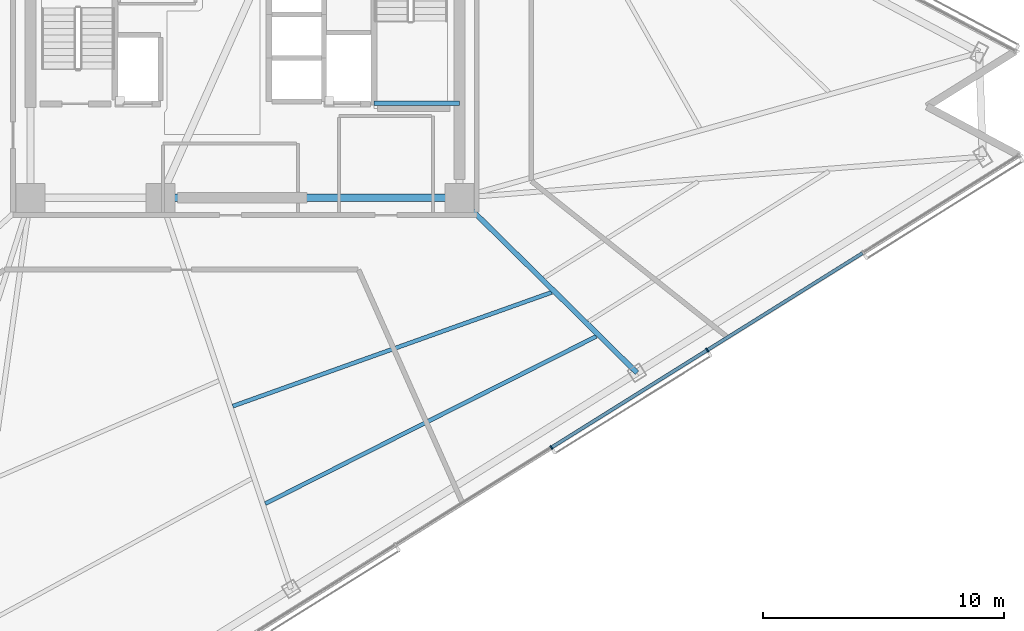
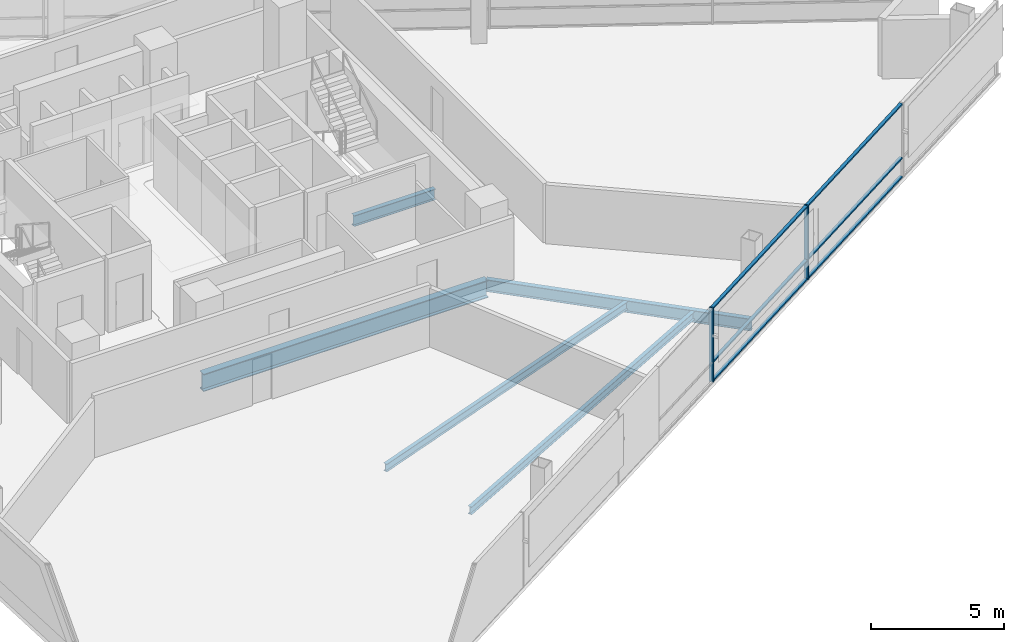
# One storey, part 5 of 18: 8 members, 5 beams, 1 element without a shape of its own.
"""IFC4 building model written with IfcOpenShell, lengths in metres."""

from ifc_helpers import new_model, si_unit, direction, frame, origin, origin_2d, place, context, subcontext, project, spatial, rectangle, i_section, extrude, material, layer, layer_set, material_profile, profile_set, type_object, element, aggregate, save


model = new_model("IFC4")

# Units and contexts
model_context = context("Model", 3, precision=1e-05, world=origin(), true_north=direction((0.0, 1.0)))
body_context = subcontext(model_context, "Body", "Model", "MODEL_VIEW")
ifc_project = project(units=[si_unit("LENGTHUNIT", "METRE"), si_unit("AREAUNIT", "SQUARE_METRE"), si_unit("VOLUMEUNIT", "CUBIC_METRE"), si_unit("PLANEANGLEUNIT", "RADIAN"), si_unit("MASSUNIT", "GRAM", prefix="KILO")], contexts=[model_context])

# Site, building, storey
site_placement = place(None, origin())
site = spatial("IfcSite", under=ifc_project, at=site_placement, CompositionType="ELEMENT")
building_placement = place(site_placement, origin())
building = spatial("IfcBuilding", under=site, at=building_placement, Name="Tharavind Bronze Gate", CompositionType="ELEMENT")
storey_placement = place(building_placement, frame((0.0, 0.0, 153.199951171875)))
storey = spatial("IfcBuildingStorey", under=building, at=storey_placement, Name="L39", CompositionType="ELEMENT", Elevation=153.199951171875)

# Curtain wall, members
ifc_material_1 = material(Name="Anodised Bronze Aluminium", Category="aluminium")
ifc_layer = layer(ifc_material_1, 0.219970703125)
ifc_layer_set = layer_set([ifc_layer], Name="Anodised Bronze Aluminium")
curtain_wall_type = type_object("IfcCurtainWallType", Name="UNITISED CURTAIN WALL MID OFFICE", PredefinedType="USERDEFINED", material=ifc_layer_set)
curtain_wall_placement = place(storey_placement, origin())
curtain_wall = element("IfcCurtainWall", 1, at=curtain_wall_placement, inside=storey, type_object=curtain_wall_type, Name="L39 unitised curtain wall mid office CW-L39-S2", ObjectType="UNITISED CURTAIN WALL", PredefinedType="USERDEFINED")
member_type_1 = type_object("IfcMemberType", Name="CURTAIN WALL BRONZE MULLION 65X180", PredefinedType="MULLION", material=ifc_material_1)
member_1_placement = place(storey_placement, frame((12.71826171875, -17.960205078125, 0.0), z_axis=(0.0, 0.0, 1.0), x_axis=(0.848048096156, 0.529919264233, 0.0)))
member_1 = element("IfcMember", 2, at=member_1_placement, type_object=member_type_1, Name="CW-L39-S2 mullion 5", PredefinedType="MULLION", context=body_context, shape_type="SweptSolid", body=[
    extrude(rectangle(XDim=0.06494140625, YDim=0.179931640625, at=origin_2d()), origin(), (0.0, 0.0, 1.0), 3.409912109375),
])
member_2_placement = place(storey_placement, frame((19.18359375, -13.919921875, 0.0), z_axis=(0.0, 0.0, 1.0), x_axis=(0.848048096156, 0.529919264233, 0.0)))
member_2 = element("IfcMember", 3, at=member_2_placement, type_object=member_type_1, Name="CW-L39-S2 mullion 6", PredefinedType="MULLION", context=body_context, shape_type="SweptSolid", body=[
    extrude(rectangle(XDim=0.06494140625, YDim=0.179931640625, at=origin_2d()), origin(), (0.0, 0.0, 1.0), 3.409912109375),
])
member_type_2 = type_object("IfcMemberType", Name="CURTAIN WALL BRONZE TRANSOM 65X140", PredefinedType="USERDEFINED", material=ifc_material_1)
member_3_placement = place(storey_placement, frame((15.950927734375, -15.93994140625, 0.0), z_axis=(0.0, 0.0, 1.0), x_axis=(0.848048096156, 0.529919264233, 0.0)))
member_3 = element("IfcMember", 4, at=member_3_placement, type_object=member_type_2, Name="CW-L39-S2 transom TB5", ObjectType="TRANSOM", PredefinedType="USERDEFINED", context=body_context, shape_type="SweptSolid", body=[
    extrude(rectangle(XDim=7.57080078125, YDim=0.139892578125, at=origin_2d()), origin(), (0.0, 0.0, 1.0), 0.06494140625),
])
member_4_placement = place(storey_placement, frame((15.950927734375, -15.93994140625, 0.86767578125), z_axis=(0.0, 0.0, 1.0), x_axis=(0.848048096156, 0.529919264233, 0.0)))
member_4 = element("IfcMember", 5, at=member_4_placement, type_object=member_type_2, Name="CW-L39-S2 transom TS5", ObjectType="TRANSOM", PredefinedType="USERDEFINED", context=body_context, shape_type="SweptSolid", body=[
    extrude(rectangle(XDim=7.57080078125, YDim=0.139892578125, at=origin_2d()), origin(), (0.0, 0.0, 1.0), 0.06494140625),
])
member_5_placement = place(storey_placement, frame((15.950927734375, -15.93994140625, 3.344970703125), z_axis=(0.0, 0.0, 1.0), x_axis=(0.848048096156, 0.529919264233, 0.0)))
member_5 = element("IfcMember", 6, at=member_5_placement, type_object=member_type_2, Name="CW-L39-S2 transom TT5", ObjectType="TRANSOM", PredefinedType="USERDEFINED", context=body_context, shape_type="SweptSolid", body=[
    extrude(rectangle(XDim=7.57080078125, YDim=0.139892578125, at=origin_2d()), origin(), (0.0, 0.0, 1.0), 0.06494140625),
])
member_6_placement = place(storey_placement, frame((22.41650390625, -11.89990234375, 0.0), z_axis=(0.0, 0.0, 1.0), x_axis=(0.848048096156, 0.529919264233, 0.0)))
member_6 = element("IfcMember", 7, at=member_6_placement, type_object=member_type_2, Name="CW-L39-S2 transom TB6", ObjectType="TRANSOM", PredefinedType="USERDEFINED", context=body_context, shape_type="SweptSolid", body=[
    extrude(rectangle(XDim=7.57080078125, YDim=0.139892578125, at=origin_2d()), origin(), (0.0, 0.0, 1.0), 0.06494140625),
])
member_7_placement = place(storey_placement, frame((22.41650390625, -11.89990234375, 0.86767578125), z_axis=(0.0, 0.0, 1.0), x_axis=(0.848048096156, 0.529919264233, 0.0)))
member_7 = element("IfcMember", 8, at=member_7_placement, type_object=member_type_2, Name="CW-L39-S2 transom TS6", ObjectType="TRANSOM", PredefinedType="USERDEFINED", context=body_context, shape_type="SweptSolid", body=[
    extrude(rectangle(XDim=7.57080078125, YDim=0.139892578125, at=origin_2d()), origin(), (0.0, 0.0, 1.0), 0.06494140625),
])
member_8_placement = place(storey_placement, frame((22.41650390625, -11.89990234375, 3.344970703125), z_axis=(0.0, 0.0, 1.0), x_axis=(0.848048096156, 0.529919264233, 0.0)))
member_8 = element("IfcMember", 9, at=member_8_placement, type_object=member_type_2, Name="CW-L39-S2 transom TT6", ObjectType="TRANSOM", PredefinedType="USERDEFINED", context=body_context, shape_type="SweptSolid", body=[
    extrude(rectangle(XDim=7.57080078125, YDim=0.139892578125, at=origin_2d()), origin(), (0.0, 0.0, 1.0), 0.06494140625),
])
aggregate(curtain_wall, [member_1, member_2, member_3, member_4, member_5, member_6, member_7, member_8])

# Beams
ifc_material_2 = material(Name="Steel S355", Category="steel")
ifc_material_profile_1 = material_profile(ifc_material_2, i_section(OverallWidth=0.199951171875, OverallDepth=0.5, WebThickness=0.01025390625, FlangeThickness=0.01611328125, at=origin_2d()), Name="IPE500")
ifc_profile_set_1 = profile_set([ifc_material_profile_1], Name="Steel S355")
beam_type_1 = type_object("IfcBeamType", Name="PRIMARY GIRDER IPE500", PredefinedType="USERDEFINED", material=ifc_profile_set_1)
beam_1_placement = place(storey_placement, frame((5.35009765625, -3.679931640625, 1.35009765625), z_axis=(1.0, 0.0, 0.0), x_axis=(0.0, 1.0, 0.0)))
element("IfcBeam", 10, at=beam_1_placement, inside=storey, type_object=beam_type_1, Name="L39 primary girder ipe500 BM-LD-ST2-L39-1", ObjectType="GIRDER", PredefinedType="USERDEFINED", context=body_context, shape_type="SweptSolid", body=[
    extrude(i_section(OverallWidth=0.199951171875, OverallDepth=0.5, WebThickness=0.01025390625, FlangeThickness=0.01611328125, at=origin_2d()), origin(), (0.0, 0.0, 1.0), 3.5498046875),
])
ifc_material_profile_2 = material_profile(ifc_material_2, i_section(OverallWidth=0.2099609375, OverallDepth=0.550048828125, WebThickness=0.010986328125, FlangeThickness=0.01708984375, at=origin_2d()), Name="IPE550")
ifc_profile_set_2 = profile_set([ifc_material_profile_2], Name="Steel S355")
beam_type_2 = type_object("IfcBeamType", Name="PRIMARY GIRDER IPE550", PredefinedType="USERDEFINED", material=ifc_profile_set_2)
beam_2_placement = place(storey_placement, frame((16.263916015625, -14.860107421875, -0.46484375), z_axis=(-0.712117612056, 0.702060187306, 0.0), x_axis=(-0.702060187306, -0.712117612056, 0.0)))
element("IfcBeam", 11, at=beam_2_placement, inside=storey, type_object=beam_type_2, Name="L39 primary girder ipe550 BM-L39-RAD07", ObjectType="GIRDER", PredefinedType="USERDEFINED", context=body_context, shape_type="SweptSolid", body=[
    extrude(i_section(OverallWidth=0.2099609375, OverallDepth=0.550048828125, WebThickness=0.010986328125, FlangeThickness=0.01708984375, at=origin_2d()), origin(), (0.0, 0.0, 1.0), 10.341064453125),
])
ifc_material_profile_3 = material_profile(ifc_material_2, i_section(OverallWidth=0.300048828125, OverallDepth=0.800048828125, WebThickness=0.017578125, FlangeThickness=0.032958984375, at=origin_2d()), Name="HE800B")
ifc_profile_set_3 = profile_set([ifc_material_profile_3], Name="Steel S355")
beam_type_3 = type_object("IfcBeamType", Name="RING GIRDER HE800B", PredefinedType="USERDEFINED", material=ifc_profile_set_3)
beam_3_placement = place(storey_placement, frame((-3.5, -7.60009765625, -0.58984375), z_axis=(1.0, 0.0, 0.0), x_axis=(0.0, 1.0, 0.0)))
element("IfcBeam", 12, at=beam_3_placement, inside=storey, type_object=beam_type_3, Name="L39 ring girder he800b BM-L39-CR2", ObjectType="GIRDER", PredefinedType="USERDEFINED", context=body_context, shape_type="SweptSolid", body=[
    extrude(i_section(OverallWidth=0.300048828125, OverallDepth=0.800048828125, WebThickness=0.017578125, FlangeThickness=0.032958984375, at=origin_2d()), origin(), (0.0, 0.0, 1.0), 12.39990234375),
])
ifc_material_profile_4 = material_profile(ifc_material_2, i_section(OverallWidth=0.169921875, OverallDepth=0.360107421875, WebThickness=0.008056640625, FlangeThickness=0.0126953125, at=origin_2d()), Name="IPE360")
ifc_profile_set_4 = profile_set([ifc_material_profile_4], Name="Steel S355")
beam_type_4 = type_object("IfcBeamType", Name="SECONDARY FLOOR JOIST IPE360", PredefinedType="JOIST", material=ifc_profile_set_4)
beam_4_placement = place(storey_placement, frame((-0.501708984375, -16.245361328125, -0.369873046875), z_axis=(0.941820934354, 0.336115051156, 0.0), x_axis=(-0.336115051156, 0.941820934354, 0.0)))
element("IfcBeam", 13, at=beam_4_placement, inside=storey, type_object=beam_type_4, Name="L39 secondary floor joist ipe360 BM-L39-JSTA06", PredefinedType="JOIST", context=body_context, shape_type="SweptSolid", body=[
    extrude(i_section(OverallWidth=0.169921875, OverallDepth=0.360107421875, WebThickness=0.008056640625, FlangeThickness=0.0126953125, at=origin_2d()), origin(), (0.0, 0.0, 1.0), 14.044921875),
])
beam_5_placement = place(storey_placement, frame((0.846923828125, -20.289306640625, -0.369873046875), z_axis=(0.89252439558, 0.450999116733, 0.0), x_axis=(-0.450999116733, 0.89252439558, 0.0)))
element("IfcBeam", 14, at=beam_5_placement, inside=storey, type_object=beam_type_4, Name="L39 secondary floor joist ipe360 BM-L39-JSTB06", PredefinedType="JOIST", context=body_context, shape_type="SweptSolid", body=[
    extrude(i_section(OverallWidth=0.169921875, OverallDepth=0.360107421875, WebThickness=0.008056640625, FlangeThickness=0.0126953125, at=origin_2d()), origin(), (0.0, 0.0, 1.0), 15.384765625),
])

save(model, "model.ifc")
